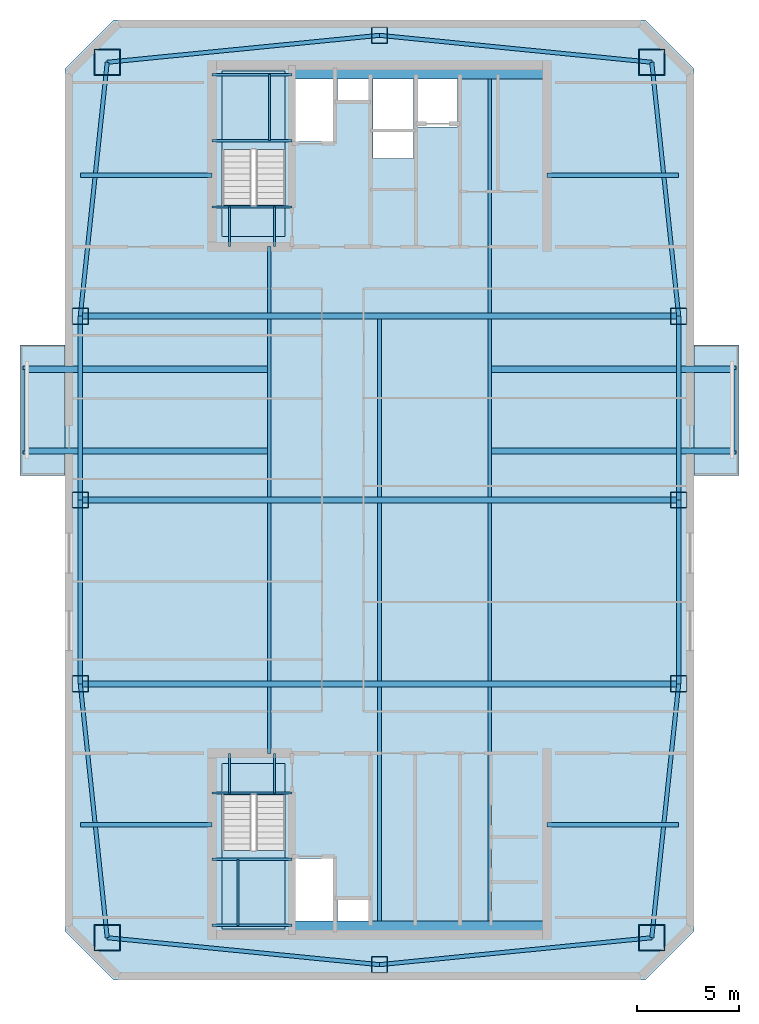
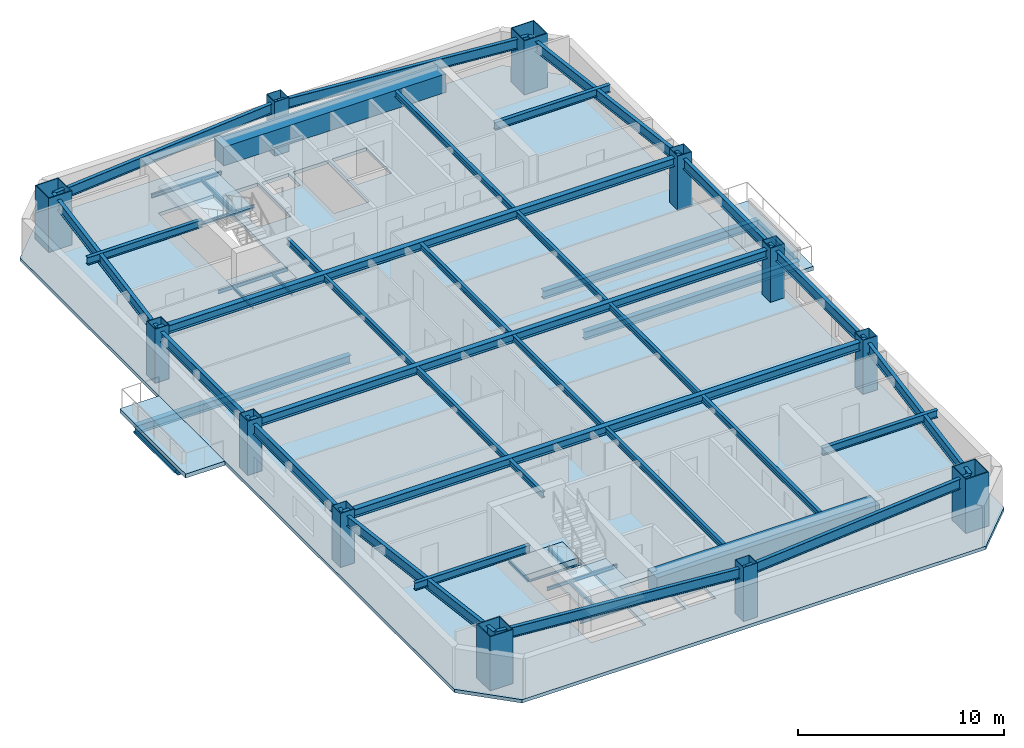
# One storey, part 1 of 6: 50 beams, 12 columns, 7 slabs, 2 elements without a shape of their own.
"""IFC4 building model written with IfcOpenShell, lengths in metres."""

import ifcopenshell
import ifcopenshell.guid

model = None  # the IFC model being written
_history = None  # IfcOwnerHistory: only IFC2X3 demands one
_inside = {}  # id of a spatial element -> (the spatial element, [elements in it])
_under = {}  # id of a project, library or spatial element -> (it, [spatial elements below it])
_declared = {}  # id of a project -> (the project, [libraries it declares])
_typed = {}  # id of a type object -> (the type object, [elements of that type])
_made_of = {}  # id of a material, layer set ... -> (it, [elements and type objects made of it])


def new_model(schema):
    """Start an empty IFC model of exactly this schema.

    Asked for "IFC4X3", IfcOpenShell would pick the latest addendum, in which some entities
    have other attributes; the version numbers below select the first issue.
    IFC2X3 requires an IfcOwnerHistory on every rooted entity: one is made here for all.
    """
    global model, _history
    if schema == "IFC4X3":
        model = ifcopenshell.file(schema_version=(4, 3, 0, 0))
    else:
        model = ifcopenshell.file(schema=schema)
    _inside.clear()
    _under.clear()
    _declared.clear()
    _typed.clear()
    _made_of.clear()
    _history = None
    if model.schema == "IFC2X3":
        org = make("IfcOrganization", Name="unknown")
        user = make(
            "IfcPersonAndOrganization",
            ThePerson=make("IfcPerson", FamilyName="unknown"),
            TheOrganization=org,
        )
        app = make(
            "IfcApplication",
            ApplicationDeveloper=org,
            Version="unknown",
            ApplicationFullName="unknown",
            ApplicationIdentifier="unknown",
        )
        _history = make(
            "IfcOwnerHistory",
            OwningUser=user,
            OwningApplication=app,
            ChangeAction="ADDED",
            CreationDate=0,
        )
    return model


def make(cls, **values):
    """One entity of the class cls with the attributes given. An attribute that is None is left unset."""
    return model.create_entity(
        cls, **{name: value for name, value in values.items() if value is not None}
    )


def rooted(cls, **values):
    """An entity with a GlobalId (a new one), such as an element, a storey or a relation."""
    return make(cls, GlobalId=ifcopenshell.guid.new(), OwnerHistory=_history, **values)


def si_unit(unit_type, name, prefix=None):
    """IfcSIUnit, for example si_unit("LENGTHUNIT", "METRE", prefix="MILLI")."""
    return make("IfcSIUnit", UnitType=unit_type, Prefix=prefix, Name=name)


def assignment(units):
    """IfcUnitAssignment: the units of a project."""
    return None if units is None else make("IfcUnitAssignment", Units=units)


def point(xyz):
    """IfcCartesianPoint."""
    return None if xyz is None else make("IfcCartesianPoint", Coordinates=xyz)


def direction(xyz):
    """IfcDirection."""
    return None if xyz is None else make("IfcDirection", DirectionRatios=xyz)


def frame(location, z_axis=None, x_axis=None):
    """IfcAxis2Placement3D, a coordinate frame: its origin and axes. An axis left out is left unset."""
    return make(
        "IfcAxis2Placement3D",
        Location=point(location),
        Axis=direction(z_axis),
        RefDirection=direction(x_axis),
    )


def frame_2d(location, x_axis=None):
    """IfcAxis2Placement2D, a coordinate frame in the plane: its origin and x axis."""
    return make(
        "IfcAxis2Placement2D", Location=point(location), RefDirection=direction(x_axis)
    )


def origin():
    """The frame at (0, 0, 0) with its axes left unset."""
    return frame((0.0, 0.0, 0.0))


def origin_2d():
    """The frame at (0, 0) in the plane with its x axis left unset."""
    return frame_2d((0.0, 0.0))


def place(relative_to, where):
    """IfcLocalPlacement: puts the frame where relative to a parent placement (None: the world)."""
    return make(
        "IfcLocalPlacement", PlacementRelTo=relative_to, RelativePlacement=where
    )


def context(
    kind, dimensions, precision=None, world=None, true_north=None, identifier=None
):
    """IfcGeometricRepresentationContext, for example the 3D "Model" context."""
    return make(
        "IfcGeometricRepresentationContext",
        ContextIdentifier=identifier,
        ContextType=kind,
        CoordinateSpaceDimension=dimensions,
        Precision=precision,
        WorldCoordinateSystem=world,
        TrueNorth=true_north,
    )


def subcontext(parent, identifier, kind, view, scale=None):
    """IfcGeometricRepresentationSubContext, for example "Body" below "Model"."""
    return make(
        "IfcGeometricRepresentationSubContext",
        ContextIdentifier=identifier,
        ContextType=kind,
        ParentContext=parent,
        TargetScale=scale,
        TargetView=view,
    )


def project(units=None, contexts=None):
    """IfcProject with its units and contexts."""
    return rooted(
        "IfcProject",
        Name="project",
        RepresentationContexts=contexts,
        UnitsInContext=assignment(units),
    )


def spatial(cls, under=None, at=None, **own):
    """A site, building, storey or space (cls), placed at a placement, below another one or the project."""
    s = rooted(cls, ObjectPlacement=at, **own)
    if under is not None:
        _under.setdefault(under.id(), (under, []))[1].append(s)
    return s


def polyline(points):
    """IfcPolyline through the points."""
    return make("IfcPolyline", Points=[point(p) for p in points])


def profile(cls, at=None, kind="AREA", **sizes):
    """A parametric profile (cls). Its sizes go by their IFC names, for example OverallWidth=200.0."""
    return make(cls, ProfileType=kind, Position=at, **sizes)


def rectangle(**sizes):
    """IfcRectangleProfileDef."""
    return profile("IfcRectangleProfileDef", **sizes)


def hollow_rectangle(**sizes):
    """IfcRectangleHollowProfileDef."""
    return profile("IfcRectangleHollowProfileDef", **sizes)


def i_section(**sizes):
    """IfcIShapeProfileDef."""
    return profile("IfcIShapeProfileDef", **sizes)


def outline(outer, holes=None, kind="AREA"):
    """IfcArbitraryClosedProfileDef: a profile drawn as a closed curve; with holes, ...WithVoids."""
    if holes is None:
        return make("IfcArbitraryClosedProfileDef", ProfileType=kind, OuterCurve=outer)
    return make(
        "IfcArbitraryProfileDefWithVoids",
        ProfileType=kind,
        OuterCurve=outer,
        InnerCurves=holes,
    )


def extrude(swept, where, along, depth):
    """IfcExtrudedAreaSolid: the profile swept, set in the frame where, extruded along a direction by depth."""
    return make(
        "IfcExtrudedAreaSolid",
        SweptArea=swept,
        Position=where,
        ExtrudedDirection=direction(along),
        Depth=depth,
    )


def shape(context_of_items, identifier, shape_type, items):
    """IfcShapeRepresentation: the items that make up one representation, for example the "Body"."""
    return make(
        "IfcShapeRepresentation",
        ContextOfItems=context_of_items,
        RepresentationIdentifier=identifier,
        RepresentationType=shape_type,
        Items=items,
    )


def material(Name=None, Category=None):
    """IfcMaterial."""
    return make("IfcMaterial", Name=Name, Category=Category)


def layer(
    of_material, thickness, ventilated=None, Name=None, Category=None, Priority=None
):
    """IfcMaterialLayer: one layer of a wall or slab, of a material (None: an air gap)."""
    return make(
        "IfcMaterialLayer",
        Material=of_material,
        LayerThickness=thickness,
        IsVentilated=ventilated,
        Name=Name,
        Category=Category,
        Priority=Priority,
    )


def layer_set(layers, Name=None):
    """IfcMaterialLayerSet."""
    return make("IfcMaterialLayerSet", MaterialLayers=layers, LayerSetName=Name)


def material_profile(
    of_material, cross_section, Name=None, Category=None, Priority=None
):
    """IfcMaterialProfile: a cross section and its material."""
    return make(
        "IfcMaterialProfile",
        Name=Name,
        Material=of_material,
        Profile=cross_section,
        Priority=Priority,
        Category=Category,
    )


def profile_set(profiles, Name=None, composite=None):
    """IfcMaterialProfileSet."""
    return make(
        "IfcMaterialProfileSet",
        Name=Name,
        MaterialProfiles=profiles,
        CompositeProfile=composite,
    )


def made_of(thing, what):
    """Note that an element or type object is made of a material, layer set ...; save() writes the relation."""
    if what is not None:
        _made_of.setdefault(what.id(), (what, []))[1].append(thing)
    return thing


def type_object(cls, material=None, **own):
    """A type object (cls), such as IfcWallType, which elements share."""
    return made_of(rooted(cls, **own), material)


def element(
    cls,
    number,
    at=None,
    inside=None,
    cuts=None,
    type_object=None,
    material=None,
    context=None,
    identifier="Body",
    shape_type=None,
    held_by="IfcProductDefinitionShape",
    body=None,
    shapes=None,
    **own,
):
    """One element of the class cls, such as IfcWall. Its Tag is "e" and its number.

    at: its placement. inside: the storey or other place that contains it. cuts: it is an
    opening in that element (IfcRelVoidsElement). A single representation is given by context,
    identifier, shape_type and body (its items); several are given by shapes. held_by: the class
    of the entity that holds the representations. save() writes the other relations.
    """
    e = rooted(cls, Tag="e%d" % number, ObjectPlacement=at, **own)
    if body is not None:
        shapes = [shape(context, identifier, shape_type, body)]
    if shapes is not None:
        e.Representation = make(held_by, Representations=shapes)
    if inside is not None:
        _inside.setdefault(inside.id(), (inside, []))[1].append(e)
    if cuts is not None:
        rooted(
            "IfcRelVoidsElement", RelatingBuildingElement=cuts, RelatedOpeningElement=e
        )
    if type_object is not None:
        _typed.setdefault(type_object.id(), (type_object, []))[1].append(e)
    return made_of(e, material)


def aggregate(whole, parts):
    """IfcRelAggregates: a whole, such as a stair, and the parts it consists of."""
    return rooted("IfcRelAggregates", RelatingObject=whole, RelatedObjects=parts)


def save(model, path):
    """Write the relations noted so far, then the file.

    IfcRelAggregates (storeys below a building ...), IfcRelContainedInSpatialStructure (elements
    in a storey), IfcRelDefinesByType, IfcRelAssociatesMaterial and IfcRelDeclares: one each for
    every whole, place, type object, material and project.
    """
    for whole, parts in _under.values():
        aggregate(whole, parts)
    for where, things in _inside.values():
        rooted(
            "IfcRelContainedInSpatialStructure",
            RelatedElements=things,
            RelatingStructure=where,
        )
    for kind, things in _typed.values():
        rooted("IfcRelDefinesByType", RelatedObjects=things, RelatingType=kind)
    for what, things in _made_of.values():
        rooted("IfcRelAssociatesMaterial", RelatedObjects=things, RelatingMaterial=what)
    for by, libraries in _declared.values():
        rooted("IfcRelDeclares", RelatingContext=by, RelatedDefinitions=libraries)
    model.write(path)


model = new_model("IFC4")

# Units and contexts
model_context = context("Model", 3, precision=1e-05, world=origin(), true_north=direction((0.0, 1.0)))
body_context = subcontext(model_context, "Body", "Model", "MODEL_VIEW")
ifc_project = project(units=[si_unit("LENGTHUNIT", "METRE"), si_unit("AREAUNIT", "SQUARE_METRE"), si_unit("VOLUMEUNIT", "CUBIC_METRE"), si_unit("PLANEANGLEUNIT", "RADIAN"), si_unit("MASSUNIT", "GRAM", prefix="KILO")], contexts=[model_context])

# Site, building, storey
site_placement = place(None, origin())
site = spatial("IfcSite", under=ifc_project, at=site_placement, CompositionType="ELEMENT")
building_placement = place(site_placement, origin())
building = spatial("IfcBuilding", under=site, at=building_placement, Name="Qiaolan Cultural Towers", CompositionType="ELEMENT")
storey_placement = place(building_placement, frame((0.0, 0.0, 260.0)))
storey = spatial("IfcBuildingStorey", under=building, at=storey_placement, Name="L71", CompositionType="ELEMENT", Elevation=260.0)

# Columns
ifc_material_1 = material(Name="Steel Q390GJB", Category="steel")
ifc_material_profile_1 = material_profile(ifc_material_1, hollow_rectangle(XDim=1.300048828125, YDim=1.300048828125, WallThickness=0.044921875, at=origin_2d()), Name="BOX1300x1300x45")
ifc_profile_set_1 = profile_set([ifc_material_profile_1], Name="Steel Q390GJB")
column_type_1 = type_object("IfcColumnType", Name="COL-BOX1300x1300x45", PredefinedType="COLUMN", material=ifc_profile_set_1)
for number, where, z_axis, x_axis, name in (
    (1, (16.669921875, 12.570068359375, 0.0), (0.0, 0.0, 1.0), (1.0, 0.0, 0.0), "L71 T1 Perimeter Column MC-SW"),
    (2, (43.330078125, 12.570068359375, 0.0), (0.0, 0.0, 1.0), (1.0, 0.0, 0.0), "L71 T1 Perimeter Column MC-SE"),
    (3, (43.330078125, 55.429931640625, 0.0), (0.0, 0.0, 1.0), (1.0, 0.0, 0.0), "L71 T1 Perimeter Column MC-NE"),
    (4, (16.669921875, 55.429931640625, 0.0), (0.0, 0.0, 1.0), (1.0, 0.0, 0.0), "L71 T1 Perimeter Column MC-NW"),
):
    element("IfcColumn", number, at=place(storey_placement, frame(where, z_axis=z_axis, x_axis=x_axis)), inside=storey, type_object=column_type_1, Name=name, PredefinedType="COLUMN", context=body_context, shape_type="SweptSolid", body=[
        extrude(hollow_rectangle(XDim=1.300048828125, YDim=1.300048828125, WallThickness=0.044921875, at=origin_2d()), origin(), (0.0, 0.0, 1.0), 3.200927734375),
    ])
ifc_material_2 = material(Name="Steel Q355B", Category="steel")
ifc_material_profile_2 = material_profile(ifc_material_2, hollow_rectangle(XDim=0.800048828125, YDim=0.800048828125, WallThickness=0.028076171875, at=origin_2d()), Name="BOX800x800x28")
ifc_profile_set_2 = profile_set([ifc_material_profile_2], Name="Steel Q355B")
column_type_2 = type_object("IfcColumnType", Name="COL-BOX800x800x28", PredefinedType="COLUMN", material=ifc_profile_set_2)
for number, where, z_axis, x_axis, name in (
    (5, (15.35009765625, 25.0, 0.0), (0.0, 0.0, 1.0), (1.0, 0.0, 0.0), "L71 T1 Perimeter Column PC-W1"),
    (6, (15.35009765625, 34.0, 0.0), (0.0, 0.0, 1.0), (1.0, 0.0, 0.0), "L71 T1 Perimeter Column PC-W2"),
    (7, (15.35009765625, 43.0, 0.0), (0.0, 0.0, 1.0), (1.0, 0.0, 0.0), "L71 T1 Perimeter Column PC-W3"),
    (8, (44.64990234375, 25.0, 0.0), (0.0, 0.0, 1.0), (1.0, 0.0, 0.0), "L71 T1 Perimeter Column PC-E1"),
    (9, (44.64990234375, 34.0, 0.0), (0.0, 0.0, 1.0), (1.0, 0.0, 0.0), "L71 T1 Perimeter Column PC-E2"),
    (10, (44.64990234375, 43.0, 0.0), (0.0, 0.0, 1.0), (1.0, 0.0, 0.0), "L71 T1 Perimeter Column PC-E3"),
    (11, (30.0, 11.25, 0.0), (0.0, 0.0, 1.0), (1.0, 0.0, 0.0), "L71 T1 Perimeter Column PC-S0"),
    (12, (30.0, 56.75, 0.0), (0.0, 0.0, 1.0), (1.0, 0.0, 0.0), "L71 T1 Perimeter Column PC-N0"),
):
    element("IfcColumn", number, at=place(storey_placement, frame(where, z_axis=z_axis, x_axis=x_axis)), inside=storey, type_object=column_type_2, Name=name, PredefinedType="COLUMN", context=body_context, shape_type="SweptSolid", body=[
        extrude(hollow_rectangle(XDim=0.800048828125, YDim=0.800048828125, WallThickness=0.028076171875, at=origin_2d()), origin(), (0.0, 0.0, 1.0), 3.200927734375),
    ])

# Beams
ifc_material_3 = material(Name="Steel Q355B", Category="steel")
ifc_material_profile_3 = material_profile(ifc_material_3, i_section(OverallWidth=0.300048828125, OverallDepth=0.488037109375, WebThickness=0.010986328125, FlangeThickness=0.01806640625, at=origin_2d()), Name="HM488x300x11x18")
ifc_profile_set_3 = profile_set([ifc_material_profile_3], Name="Steel Q355B")
beam_type_1 = type_object("IfcBeamType", Name="BM-HM488x300x11x18", PredefinedType="BEAM", material=ifc_profile_set_3)
for number, where, z_axis, x_axis, name in (
    (13, (24.60009765625, 36.39990234375, -0.52392578125), (-1.0, 0.0, 0.0), (0.0, -1.0, 0.0), "L71 T1 Tree Balcony Back-Spanned Bracket Beam"),
    (14, (24.60009765625, 40.39990234375, -0.52392578125), (-1.0, 0.0, 0.0), (0.0, -1.0, 0.0), "L71 T1 Tree Balcony Back-Spanned Bracket Beam"),
    (15, (35.39990234375, 36.39990234375, -0.52392578125), (1.0, 0.0, 0.0), (0.0, 1.0, 0.0), "L71 T1 Tree Balcony Back-Spanned Bracket Beam"),
    (16, (35.39990234375, 40.39990234375, -0.52392578125), (1.0, 0.0, 0.0), (0.0, 1.0, 0.0), "L71 T1 Tree Balcony Back-Spanned Bracket Beam"),
):
    element("IfcBeam", number, at=place(storey_placement, frame(where, z_axis=z_axis, x_axis=x_axis)), inside=storey, type_object=beam_type_1, Name=name, PredefinedType="BEAM", context=body_context, shape_type="SweptSolid", body=[
        extrude(i_section(OverallWidth=0.300048828125, OverallDepth=0.488037109375, WebThickness=0.010986328125, FlangeThickness=0.01806640625, at=origin_2d()), origin(), (0.0, 0.0, 1.0), 12.050048828125),
    ])
for number, where, z_axis, x_axis, name in (
    (17, (15.35009765625, 25.0, 2.696044921875), (1.0, 0.0, 0.0), (0.0, 1.0, 0.0), "L71 T1 Primary Transverse Girder V1"),
    (18, (15.35009765625, 34.0, 2.696044921875), (1.0, 0.0, 0.0), (0.0, 1.0, 0.0), "L71 T1 Primary Transverse Girder V2"),
    (19, (15.35009765625, 43.0, 2.696044921875), (1.0, 0.0, 0.0), (0.0, 1.0, 0.0), "L71 T1 Primary Transverse Girder V3"),
):
    element("IfcBeam", number, at=place(storey_placement, frame(where, z_axis=z_axis, x_axis=x_axis)), inside=storey, type_object=beam_type_1, Name=name, PredefinedType="BEAM", context=body_context, shape_type="SweptSolid", body=[
        extrude(i_section(OverallWidth=0.300048828125, OverallDepth=0.488037109375, WebThickness=0.010986328125, FlangeThickness=0.01806640625, at=origin_2d()), origin(), (0.0, 0.0, 1.0), 29.2998046875),
    ])
ifc_material_4 = material(Name="Steel Q355B", Category="steel")
ifc_material_profile_4 = material_profile(ifc_material_4, i_section(OverallWidth=0.175048828125, OverallDepth=0.35009765625, WebThickness=0.007080078125, FlangeThickness=0.010986328125, at=origin_2d()), Name="HN350x175x7x11")
ifc_profile_set_4 = profile_set([ifc_material_profile_4], Name="Steel Q355B")
beam_type_2 = type_object("IfcBeamType", Name="BM-JST-HN350x175x7x11", PredefinedType="JOIST", material=ifc_profile_set_4)
for number, where, z_axis, x_axis, name in (
    (20, (12.550048828125, 36.39990234375, -0.52392578125), (0.0, 1.0, 0.0), (-1.0, 0.0, 0.0), "L71 T1 Tree Balcony Outer Edge Beam"),
    (21, (47.449951171875, 36.39990234375, -0.52392578125), (0.0, 1.0, 0.0), (-1.0, 0.0, 0.0), "L71 T1 Tree Balcony Outer Edge Beam"),
):
    element("IfcBeam", number, at=place(storey_placement, frame(where, z_axis=z_axis, x_axis=x_axis)), inside=storey, type_object=beam_type_2, Name=name, PredefinedType="JOIST", context=body_context, shape_type="SweptSolid", body=[
        extrude(i_section(OverallWidth=0.175048828125, OverallDepth=0.35009765625, WebThickness=0.007080078125, FlangeThickness=0.010986328125, at=origin_2d()), origin(), (0.0, 0.0, 1.0), 4.0),
    ])
beam_1_placement = place(storey_placement, frame((24.60009765625, 21.60009765625, 2.764892578125), z_axis=(0.0, 1.0, 0.0), x_axis=(-1.0, 0.0, 0.0)))
element("IfcBeam", 22, at=beam_1_placement, inside=storey, type_object=beam_type_2, Name="L71 T1 Secondary Floor Joist U1-1", PredefinedType="JOIST", context=body_context, shape_type="SweptSolid", body=[
    extrude(i_section(OverallWidth=0.175048828125, OverallDepth=0.35009765625, WebThickness=0.007080078125, FlangeThickness=0.010986328125, at=origin_2d()), origin(), (0.0, 0.0, 1.0), 3.25),
])
for number, where, z_axis, x_axis, name in (
    (23, (24.60009765625, 25.14990234375, 2.764892578125), (0.0, 1.0, 0.0), (-1.0, 0.0, 0.0), "L71 T1 Secondary Floor Joist U1-2"),
    (24, (24.60009765625, 34.14990234375, 2.764892578125), (0.0, 1.0, 0.0), (-1.0, 0.0, 0.0), "L71 T1 Secondary Floor Joist U1-3"),
):
    element("IfcBeam", number, at=place(storey_placement, frame(where, z_axis=z_axis, x_axis=x_axis)), inside=storey, type_object=beam_type_2, Name=name, PredefinedType="JOIST", context=body_context, shape_type="SweptSolid", body=[
        extrude(i_section(OverallWidth=0.175048828125, OverallDepth=0.35009765625, WebThickness=0.007080078125, FlangeThickness=0.010986328125, at=origin_2d()), origin(), (0.0, 0.0, 1.0), 8.7001953125),
    ])
beam_2_placement = place(storey_placement, frame((24.60009765625, 43.14990234375, 2.764892578125), z_axis=(0.0, 1.0, 0.0), x_axis=(-1.0, 0.0, 0.0)))
element("IfcBeam", 25, at=beam_2_placement, inside=storey, type_object=beam_type_2, Name="L71 T1 Secondary Floor Joist U1-4", PredefinedType="JOIST", context=body_context, shape_type="SweptSolid", body=[
    extrude(i_section(OverallWidth=0.175048828125, OverallDepth=0.35009765625, WebThickness=0.007080078125, FlangeThickness=0.010986328125, at=origin_2d()), origin(), (0.0, 0.0, 1.0), 3.25),
])
beam_3_placement = place(storey_placement, frame((30.0, 13.39990234375, 2.764892578125), z_axis=(0.0, 1.0, 0.0), x_axis=(-1.0, 0.0, 0.0)))
element("IfcBeam", 26, at=beam_3_placement, inside=storey, type_object=beam_type_2, Name="L71 T1 Secondary Floor Joist U2-1", PredefinedType="JOIST", context=body_context, shape_type="SweptSolid", body=[
    extrude(i_section(OverallWidth=0.175048828125, OverallDepth=0.35009765625, WebThickness=0.007080078125, FlangeThickness=0.010986328125, at=origin_2d()), origin(), (0.0, 0.0, 1.0), 11.4501953125),
])
for number, where, z_axis, x_axis, name in (
    (27, (30.0, 25.14990234375, 2.764892578125), (0.0, 1.0, 0.0), (-1.0, 0.0, 0.0), "L71 T1 Secondary Floor Joist U2-2"),
    (28, (30.0, 34.14990234375, 2.764892578125), (0.0, 1.0, 0.0), (-1.0, 0.0, 0.0), "L71 T1 Secondary Floor Joist U2-3"),
):
    element("IfcBeam", number, at=place(storey_placement, frame(where, z_axis=z_axis, x_axis=x_axis)), inside=storey, type_object=beam_type_2, Name=name, PredefinedType="JOIST", context=body_context, shape_type="SweptSolid", body=[
        extrude(i_section(OverallWidth=0.175048828125, OverallDepth=0.35009765625, WebThickness=0.007080078125, FlangeThickness=0.010986328125, at=origin_2d()), origin(), (0.0, 0.0, 1.0), 8.7001953125),
    ])
beam_4_placement = place(storey_placement, frame((35.39990234375, 13.39990234375, 2.764892578125), z_axis=(0.0, 1.0, 0.0), x_axis=(-1.0, 0.0, 0.0)))
element("IfcBeam", 29, at=beam_4_placement, inside=storey, type_object=beam_type_2, Name="L71 T1 Secondary Floor Joist U3-1", PredefinedType="JOIST", context=body_context, shape_type="SweptSolid", body=[
    extrude(i_section(OverallWidth=0.175048828125, OverallDepth=0.35009765625, WebThickness=0.007080078125, FlangeThickness=0.010986328125, at=origin_2d()), origin(), (0.0, 0.0, 1.0), 11.4501953125),
])
for number, where, z_axis, x_axis, name in (
    (30, (35.39990234375, 25.14990234375, 2.764892578125), (0.0, 1.0, 0.0), (-1.0, 0.0, 0.0), "L71 T1 Secondary Floor Joist U3-2"),
    (31, (35.39990234375, 34.14990234375, 2.764892578125), (0.0, 1.0, 0.0), (-1.0, 0.0, 0.0), "L71 T1 Secondary Floor Joist U3-3"),
):
    element("IfcBeam", number, at=place(storey_placement, frame(where, z_axis=z_axis, x_axis=x_axis)), inside=storey, type_object=beam_type_2, Name=name, PredefinedType="JOIST", context=body_context, shape_type="SweptSolid", body=[
        extrude(i_section(OverallWidth=0.175048828125, OverallDepth=0.35009765625, WebThickness=0.007080078125, FlangeThickness=0.010986328125, at=origin_2d()), origin(), (0.0, 0.0, 1.0), 8.7001953125),
    ])
beam_5_placement = place(storey_placement, frame((35.39990234375, 43.14990234375, 2.764892578125), z_axis=(0.0, 1.0, 0.0), x_axis=(-1.0, 0.0, 0.0)))
element("IfcBeam", 32, at=beam_5_placement, inside=storey, type_object=beam_type_2, Name="L71 T1 Secondary Floor Joist U3-4", PredefinedType="JOIST", context=body_context, shape_type="SweptSolid", body=[
    extrude(i_section(OverallWidth=0.175048828125, OverallDepth=0.35009765625, WebThickness=0.007080078125, FlangeThickness=0.010986328125, at=origin_2d()), origin(), (0.0, 0.0, 1.0), 11.4501953125),
])
ifc_material_5 = material(Name="Steel Q355B", Category="steel")
ifc_material_profile_5 = material_profile(ifc_material_5, i_section(OverallWidth=0.199951171875, OverallDepth=0.449951171875, WebThickness=0.009033203125, FlangeThickness=0.013916015625, at=origin_2d()), Name="HN450x200x9x14")
ifc_profile_set_5 = profile_set([ifc_material_profile_5], Name="Steel Q355B")
beam_type_3 = type_object("IfcBeamType", Name="BM-LNT-HN450x200x9x14", PredefinedType="LINTEL", material=ifc_profile_set_5)
for number, where, z_axis, x_axis, name in (
    (33, (21.800048828125, 18.10009765625, 2.715087890625), (-1.0, 0.0, 0.0), (0.0, -1.0, 0.0), "L71 T1 Core Flank Tie Lintel WS"),
    (34, (21.800048828125, 49.89990234375, 2.715087890625), (-1.0, 0.0, 0.0), (0.0, -1.0, 0.0), "L71 T1 Core Flank Tie Lintel WN"),
    (35, (38.199951171875, 18.10009765625, 2.715087890625), (1.0, 0.0, 0.0), (0.0, 1.0, 0.0), "L71 T1 Core Flank Tie Lintel ES"),
    (36, (38.199951171875, 49.89990234375, 2.715087890625), (1.0, 0.0, 0.0), (0.0, 1.0, 0.0), "L71 T1 Core Flank Tie Lintel EN"),
):
    element("IfcBeam", number, at=place(storey_placement, frame(where, z_axis=z_axis, x_axis=x_axis)), inside=storey, type_object=beam_type_3, Name=name, PredefinedType="LINTEL", context=body_context, shape_type="SweptSolid", body=[
        extrude(i_section(OverallWidth=0.199951171875, OverallDepth=0.449951171875, WebThickness=0.009033203125, FlangeThickness=0.013916015625, at=origin_2d()), origin(), (0.0, 0.0, 1.0), 6.449951171875),
    ])
ifc_material_6 = material(Name="Concrete C50", Category="concrete")
ifc_material_profile_6 = material_profile(ifc_material_6, rectangle(XDim=0.89990234375, YDim=1.10009765625, at=origin_2d()), Name="RC900x1100")
ifc_profile_set_6 = profile_set([ifc_material_profile_6], Name="Concrete C50")
beam_type_4 = type_object("IfcBeamType", Name="BM-RC900x1100", PredefinedType="BEAM", material=ifc_profile_set_6)
for number, where, z_axis, x_axis, name in (
    (37, (25.719970703125, 12.949951171875, 2.389892578125), (1.0, 0.0, 0.0), (0.0, 1.0, 0.0), "L71 T1 Core Header Girder S"),
    (38, (25.719970703125, 55.050048828125, 2.389892578125), (1.0, 0.0, 0.0), (0.0, 1.0, 0.0), "L71 T1 Core Header Girder N"),
):
    element("IfcBeam", number, at=place(storey_placement, frame(where, z_axis=z_axis, x_axis=x_axis)), inside=storey, type_object=beam_type_4, Name=name, PredefinedType="BEAM", context=body_context, shape_type="SweptSolid", body=[
        extrude(rectangle(XDim=0.89990234375, YDim=1.10009765625, at=origin_2d()), origin(), (0.0, 0.0, 1.0), 12.47998046875),
    ])
ifc_material_7 = material(Name="Steel Q355B", Category="steel")
ifc_material_profile_7 = material_profile(ifc_material_7, i_section(OverallWidth=0.199951171875, OverallDepth=0.60009765625, WebThickness=0.010986328125, FlangeThickness=0.01708984375, at=origin_2d()), Name="HN600x200x11x17")
ifc_profile_set_7 = profile_set([ifc_material_profile_7], Name="Steel Q355B")
beam_type_5 = type_object("IfcBeamType", Name="BM-SPD-HN600x200x11x17", PredefinedType="SPANDREL", material=ifc_profile_set_7)
for number, where, z_axis, x_axis, name in (
    (39, (16.669921875, 12.570068359375, 2.639892578125), (0.995132371263, -0.098547266143, 0.0), (0.098547266143, 0.995132371263, 0.0), "L71 T1 Perimeter Spandrel Beam 1"),
    (40, (30.0, 11.25, 2.639892578125), (0.995132371263, 0.098547266143, 0.0), (-0.098547266143, 0.995132371263, 0.0), "L71 T1 Perimeter Spandrel Beam 2"),
):
    element("IfcBeam", number, at=place(storey_placement, frame(where, z_axis=z_axis, x_axis=x_axis)), inside=storey, type_object=beam_type_5, Name=name, PredefinedType="SPANDREL", context=body_context, shape_type="SweptSolid", body=[
        extrude(i_section(OverallWidth=0.199951171875, OverallDepth=0.60009765625, WebThickness=0.010986328125, FlangeThickness=0.01708984375, at=origin_2d()), origin(), (0.0, 0.0, 1.0), 13.395263671875),
    ])
beam_6_placement = place(storey_placement, frame((43.330078125, 12.570068359375, 2.639892578125), z_axis=(0.105587580773, 0.994410007384, 0.0), x_axis=(-0.994410007384, 0.105587580773, 0.0)))
element("IfcBeam", 41, at=beam_6_placement, inside=storey, type_object=beam_type_5, Name="L71 T1 Perimeter Spandrel Beam 3", PredefinedType="SPANDREL", context=body_context, shape_type="SweptSolid", body=[
    extrude(i_section(OverallWidth=0.199951171875, OverallDepth=0.60009765625, WebThickness=0.010986328125, FlangeThickness=0.01708984375, at=origin_2d()), origin(), (0.0, 0.0, 1.0), 12.499755859375),
])
for number, where, z_axis, x_axis, name in (
    (42, (44.64990234375, 25.0, 2.639892578125), (0.0, 1.0, 0.0), (-1.0, 0.0, 0.0), "L71 T1 Perimeter Spandrel Beam 4"),
    (43, (44.64990234375, 34.0, 2.639892578125), (0.0, 1.0, 0.0), (-1.0, 0.0, 0.0), "L71 T1 Perimeter Spandrel Beam 5"),
):
    element("IfcBeam", number, at=place(storey_placement, frame(where, z_axis=z_axis, x_axis=x_axis)), inside=storey, type_object=beam_type_5, Name=name, PredefinedType="SPANDREL", context=body_context, shape_type="SweptSolid", body=[
        extrude(i_section(OverallWidth=0.199951171875, OverallDepth=0.60009765625, WebThickness=0.010986328125, FlangeThickness=0.01708984375, at=origin_2d()), origin(), (0.0, 0.0, 1.0), 9.0),
    ])
beam_7_placement = place(storey_placement, frame((44.64990234375, 43.0, 2.639892578125), z_axis=(-0.105587580773, 0.994410007384, 0.0), x_axis=(-0.994410007384, -0.105587580773, 0.0)))
element("IfcBeam", 44, at=beam_7_placement, inside=storey, type_object=beam_type_5, Name="L71 T1 Perimeter Spandrel Beam 6", PredefinedType="SPANDREL", context=body_context, shape_type="SweptSolid", body=[
    extrude(i_section(OverallWidth=0.199951171875, OverallDepth=0.60009765625, WebThickness=0.010986328125, FlangeThickness=0.01708984375, at=origin_2d()), origin(), (0.0, 0.0, 1.0), 12.499755859375),
])
for number, where, z_axis, x_axis, name in (
    (45, (43.330078125, 55.429931640625, 2.639892578125), (-0.995132371263, 0.098547266143, 0.0), (-0.098547266143, -0.995132371263, 0.0), "L71 T1 Perimeter Spandrel Beam 7"),
    (46, (30.0, 56.75, 2.639892578125), (-0.995132371263, -0.098547266143, 0.0), (0.098547266143, -0.995132371263, 0.0), "L71 T1 Perimeter Spandrel Beam 8"),
):
    element("IfcBeam", number, at=place(storey_placement, frame(where, z_axis=z_axis, x_axis=x_axis)), inside=storey, type_object=beam_type_5, Name=name, PredefinedType="SPANDREL", context=body_context, shape_type="SweptSolid", body=[
        extrude(i_section(OverallWidth=0.199951171875, OverallDepth=0.60009765625, WebThickness=0.010986328125, FlangeThickness=0.01708984375, at=origin_2d()), origin(), (0.0, 0.0, 1.0), 13.395263671875),
    ])
beam_8_placement = place(storey_placement, frame((16.669921875, 55.429931640625, 2.639892578125), z_axis=(-0.105587580773, -0.994410007384, 0.0), x_axis=(0.994410007384, -0.105587580773, 0.0)))
element("IfcBeam", 47, at=beam_8_placement, inside=storey, type_object=beam_type_5, Name="L71 T1 Perimeter Spandrel Beam 9", PredefinedType="SPANDREL", context=body_context, shape_type="SweptSolid", body=[
    extrude(i_section(OverallWidth=0.199951171875, OverallDepth=0.60009765625, WebThickness=0.010986328125, FlangeThickness=0.01708984375, at=origin_2d()), origin(), (0.0, 0.0, 1.0), 12.499755859375),
])
for number, where, z_axis, x_axis, name in (
    (48, (15.35009765625, 43.0, 2.639892578125), (0.0, -1.0, 0.0), (1.0, 0.0, 0.0), "L71 T1 Perimeter Spandrel Beam 10"),
    (49, (15.35009765625, 34.0, 2.639892578125), (0.0, -1.0, 0.0), (1.0, 0.0, 0.0), "L71 T1 Perimeter Spandrel Beam 11"),
):
    element("IfcBeam", number, at=place(storey_placement, frame(where, z_axis=z_axis, x_axis=x_axis)), inside=storey, type_object=beam_type_5, Name=name, PredefinedType="SPANDREL", context=body_context, shape_type="SweptSolid", body=[
        extrude(i_section(OverallWidth=0.199951171875, OverallDepth=0.60009765625, WebThickness=0.010986328125, FlangeThickness=0.01708984375, at=origin_2d()), origin(), (0.0, 0.0, 1.0), 9.0),
    ])
beam_9_placement = place(storey_placement, frame((15.35009765625, 25.0, 2.639892578125), z_axis=(0.105587580773, -0.994410007384, 0.0), x_axis=(0.994410007384, 0.105587580773, 0.0)))
element("IfcBeam", 50, at=beam_9_placement, inside=storey, type_object=beam_type_5, Name="L71 T1 Perimeter Spandrel Beam 12", PredefinedType="SPANDREL", context=body_context, shape_type="SweptSolid", body=[
    extrude(i_section(OverallWidth=0.199951171875, OverallDepth=0.60009765625, WebThickness=0.010986328125, FlangeThickness=0.01708984375, at=origin_2d()), origin(), (0.0, 0.0, 1.0), 12.499755859375),
])
ifc_material_8 = material(Name="Steel Q355B", Category="steel")
ifc_material_profile_8 = material_profile(ifc_material_8, i_section(OverallWidth=0.10009765625, OverallDepth=0.199951171875, WebThickness=0.005615234375, FlangeThickness=0.008056640625, at=origin_2d()), Name="HN200x100x5.5x8")
ifc_profile_set_8 = profile_set([ifc_material_profile_8], Name="Steel Q355B")
beam_type_6 = type_object("IfcBeamType", Name="BM-STTRIM-200", PredefinedType="BEAM", material=ifc_profile_set_8)
beam_10_placement = place(storey_placement, frame((21.800048828125, 19.659912109375, -0.4599609375), z_axis=(1.0, 0.0, 0.0), x_axis=(0.0, 1.0, 0.0)))
element("IfcBeam", 51, at=beam_10_placement, inside=storey, type_object=beam_type_6, Name="L71 ST-W1 Floor Landing Header Beam", PredefinedType="BEAM", context=body_context, shape_type="SweptSolid", body=[
    extrude(i_section(OverallWidth=0.10009765625, OverallDepth=0.199951171875, WebThickness=0.005615234375, FlangeThickness=0.008056640625, at=origin_2d()), origin(), (0.0, 0.0, 1.0), 3.919921875),
])
for number, where, z_axis, x_axis, name in (
    (52, (22.64990234375, 21.60009765625, -0.4599609375), (0.0, -1.0, 0.0), (1.0, 0.0, 0.0), "L71 ST-W1 Floor Landing Stringer 1"),
    (53, (24.85009765625, 21.60009765625, -0.4599609375), (0.0, -1.0, 0.0), (1.0, 0.0, 0.0), "L71 ST-W1 Floor Landing Stringer 2"),
):
    element("IfcBeam", number, at=place(storey_placement, frame(where, z_axis=z_axis, x_axis=x_axis)), inside=storey, type_object=beam_type_6, Name=name, PredefinedType="BEAM", context=body_context, shape_type="SweptSolid", body=[
        extrude(i_section(OverallWidth=0.10009765625, OverallDepth=0.199951171875, WebThickness=0.005615234375, FlangeThickness=0.008056640625, at=origin_2d()), origin(), (0.0, 0.0, 1.0), 1.940185546875),
    ])
for number, where, z_axis, x_axis, name in (
    (54, (21.800048828125, 16.411376953125, 1.300048828125), (1.0, 0.0, 0.0), (0.0, 1.0, 0.0), "L71 ST-W1 Stair Landing Support Beam 1-1"),
    (55, (21.800048828125, 13.179931640625, 1.300048828125), (1.0, 0.0, 0.0), (0.0, 1.0, 0.0), "L71 ST-W1 Stair Landing Support Beam 1-2"),
):
    element("IfcBeam", number, at=place(storey_placement, frame(where, z_axis=z_axis, x_axis=x_axis)), inside=storey, type_object=beam_type_6, Name=name, PredefinedType="BEAM", context=body_context, shape_type="SweptSolid", body=[
        extrude(i_section(OverallWidth=0.10009765625, OverallDepth=0.199951171875, WebThickness=0.005615234375, FlangeThickness=0.008056640625, at=origin_2d()), origin(), (0.0, 0.0, 1.0), 3.919921875),
    ])
beam_11_placement = place(storey_placement, frame((23.070068359375, 16.411376953125, 1.300048828125), z_axis=(0.0, -1.0, 0.0), x_axis=(1.0, 0.0, 0.0)))
element("IfcBeam", 56, at=beam_11_placement, inside=storey, type_object=beam_type_6, Name="L71 ST-W1 Stair Landing Trimmer 1", PredefinedType="BEAM", context=body_context, shape_type="SweptSolid", body=[
    extrude(i_section(OverallWidth=0.10009765625, OverallDepth=0.199951171875, WebThickness=0.005615234375, FlangeThickness=0.008056640625, at=origin_2d()), origin(), (0.0, 0.0, 1.0), 3.2314453125),
])
beam_12_placement = place(storey_placement, frame((21.800048828125, 48.340087890625, -0.4599609375), z_axis=(1.0, 0.0, 0.0), x_axis=(0.0, 1.0, 0.0)))
element("IfcBeam", 57, at=beam_12_placement, inside=storey, type_object=beam_type_6, Name="L71 ST-W2 Floor Landing Header Beam", PredefinedType="BEAM", context=body_context, shape_type="SweptSolid", body=[
    extrude(i_section(OverallWidth=0.10009765625, OverallDepth=0.199951171875, WebThickness=0.005615234375, FlangeThickness=0.008056640625, at=origin_2d()), origin(), (0.0, 0.0, 1.0), 3.919921875),
])
for number, where, z_axis, x_axis, name in (
    (58, (22.64990234375, 46.39990234375, -0.4599609375), (0.0, 1.0, 0.0), (-1.0, 0.0, 0.0), "L71 ST-W2 Floor Landing Stringer 1"),
    (59, (24.85009765625, 46.39990234375, -0.4599609375), (0.0, 1.0, 0.0), (-1.0, 0.0, 0.0), "L71 ST-W2 Floor Landing Stringer 2"),
):
    element("IfcBeam", number, at=place(storey_placement, frame(where, z_axis=z_axis, x_axis=x_axis)), inside=storey, type_object=beam_type_6, Name=name, PredefinedType="BEAM", context=body_context, shape_type="SweptSolid", body=[
        extrude(i_section(OverallWidth=0.10009765625, OverallDepth=0.199951171875, WebThickness=0.005615234375, FlangeThickness=0.008056640625, at=origin_2d()), origin(), (0.0, 0.0, 1.0), 1.940185546875),
    ])
for number, where, z_axis, x_axis, name in (
    (60, (21.800048828125, 51.588623046875, 1.300048828125), (1.0, 0.0, 0.0), (0.0, 1.0, 0.0), "L71 ST-W2 Stair Landing Support Beam 1-1"),
    (61, (21.800048828125, 54.820068359375, 1.300048828125), (1.0, 0.0, 0.0), (0.0, 1.0, 0.0), "L71 ST-W2 Stair Landing Support Beam 1-2"),
):
    element("IfcBeam", number, at=place(storey_placement, frame(where, z_axis=z_axis, x_axis=x_axis)), inside=storey, type_object=beam_type_6, Name=name, PredefinedType="BEAM", context=body_context, shape_type="SweptSolid", body=[
        extrude(i_section(OverallWidth=0.10009765625, OverallDepth=0.199951171875, WebThickness=0.005615234375, FlangeThickness=0.008056640625, at=origin_2d()), origin(), (0.0, 0.0, 1.0), 3.919921875),
    ])
beam_13_placement = place(storey_placement, frame((24.610107421875, 51.588623046875, 1.300048828125), z_axis=(0.0, 1.0, 0.0), x_axis=(-1.0, 0.0, 0.0)))
element("IfcBeam", 62, at=beam_13_placement, inside=storey, type_object=beam_type_6, Name="L71 ST-W2 Stair Landing Trimmer 1", PredefinedType="BEAM", context=body_context, shape_type="SweptSolid", body=[
    extrude(i_section(OverallWidth=0.10009765625, OverallDepth=0.199951171875, WebThickness=0.005615234375, FlangeThickness=0.008056640625, at=origin_2d()), origin(), (0.0, 0.0, 1.0), 3.2314453125),
])

# Slabs
ifc_material_9 = material(Name="Concrete C45", Category="concrete")
ifc_layer_1 = layer(ifc_material_9, 0.239990234375)
ifc_layer_set_1 = layer_set([ifc_layer_1], Name="Concrete C45")
slab_type_1 = type_object("IfcSlabType", Name="SL-BAL-240", PredefinedType="FLOOR", material=ifc_layer_set_1)
slab_1_placement = place(storey_placement, frame((0.0, 0.0, -0.239990234375)))
element("IfcSlab", 63, at=slab_1_placement, inside=storey, type_object=slab_type_1, Name="L71 T1 Planted Tree Balcony W", PredefinedType="FLOOR", context=body_context, shape_type="SweptSolid", body=[
    extrude(outline(polyline([(12.39990234375, 35.199951171875), (14.60009765625, 35.199951171875), (14.60009765625, 41.60009765625), (12.39990234375, 41.60009765625), (12.39990234375, 35.199951171875)])), origin(), (0.0, 0.0, 1.0), 0.239990234375),
])
slab_2_placement = place(storey_placement, frame((0.0, 0.0, -0.239990234375)))
element("IfcSlab", 64, at=slab_2_placement, inside=storey, type_object=slab_type_1, Name="L71 T1 Planted Tree Balcony E", PredefinedType="FLOOR", context=body_context, shape_type="SweptSolid", body=[
    extrude(outline(polyline([(45.39990234375, 35.199951171875), (47.60009765625, 35.199951171875), (47.60009765625, 41.60009765625), (45.39990234375, 41.60009765625), (45.39990234375, 35.199951171875)])), origin(), (0.0, 0.0, 1.0), 0.239990234375),
])
ifc_material_10 = material(Name="Concrete C45", Category="concrete")
ifc_layer_2 = layer(ifc_material_10, 0.199951171875)
ifc_layer_set_2 = layer_set([ifc_layer_2], Name="Concrete C45")
slab_type_2 = type_object("IfcSlabType", Name="SL-HI-200", PredefinedType="FLOOR", material=ifc_layer_set_2)
slab_3_placement = place(storey_placement, frame((0.0, 0.0, -0.199951171875)))
element("IfcSlab", 65, at=slab_3_placement, inside=storey, type_object=slab_type_2, Name="L71 West Tower Floor Slab", PredefinedType="FLOOR", context=body_context, shape_type="SweptSolid", body=[
    extrude(outline(polyline([(17.0, 10.5), (43.0, 10.5), (45.39990234375, 12.89990234375), (45.39990234375, 55.10009765625), (43.0, 57.5), (17.0, 57.5), (14.60009765625, 55.10009765625), (14.60009765625, 12.89990234375), (17.0, 10.5)]), holes=[polyline([(22.300048828125, 21.10009765625), (22.300048828125, 13.0), (25.3798828125, 13.0), (25.3798828125, 21.10009765625), (22.300048828125, 21.10009765625)]), polyline([(25.3798828125, 46.89990234375), (25.3798828125, 55.0), (22.300048828125, 55.0), (22.300048828125, 46.89990234375), (25.3798828125, 46.89990234375)]), polyline([(25.89990234375, 13.199951171875), (27.75, 13.199951171875), (27.75, 16.449951171875), (25.89990234375, 16.449951171875), (25.89990234375, 13.199951171875)]), polyline([(27.93994140625, 13.25), (29.449951171875, 13.25), (29.449951171875, 14.419921875), (27.93994140625, 14.419921875), (27.93994140625, 13.25)]), polyline([(25.89990234375, 51.550048828125), (27.75, 51.550048828125), (27.75, 54.800048828125), (25.89990234375, 54.800048828125), (25.89990234375, 51.550048828125)]), polyline([(27.93994140625, 53.580078125), (29.449951171875, 53.580078125), (29.449951171875, 54.75), (27.93994140625, 54.75), (27.93994140625, 53.580078125)]), polyline([(31.8798828125, 52.27001953125), (33.820068359375, 52.27001953125), (33.820068359375, 54.75), (31.8798828125, 54.75), (31.8798828125, 52.27001953125)]), polyline([(29.679931640625, 50.719970703125), (31.659912109375, 50.719970703125), (31.659912109375, 54.75), (29.679931640625, 54.75), (29.679931640625, 50.719970703125)])]), origin(), (0.0, 0.0, 1.0), 0.199951171875),
])

# Stair, slab
ifc_material_11 = material(Name="Concrete C45", Category="concrete")
stair_type = type_object("IfcStairType", Name="STR-CORE-1500", PredefinedType="HALF_TURN_STAIR", material=ifc_material_11)
stair_1_placement = place(storey_placement, origin())
stair_1 = element("IfcStair", 66, at=stair_1_placement, inside=storey, type_object=stair_type, Name="L71 Smokeproof Exit Stair ST-W1", PredefinedType="HALF_TURN_STAIR")
ifc_material_12 = material(Name="Concrete C45", Category="concrete")
ifc_layer_3 = layer(ifc_material_12, 0.199951171875)
ifc_layer_set_3 = layer_set([ifc_layer_3], Name="Concrete C45")
slab_type_3 = type_object("IfcSlabType", Name="SL-STAIR-LAND", PredefinedType="LANDING", material=ifc_layer_set_3)
slab_4_placement = place(storey_placement, frame((0.0, 0.0, 1.39990234375)))
slab_4 = element("IfcSlab", 67, at=slab_4_placement, type_object=slab_type_3, Name="ST-W1 landing 1", PredefinedType="LANDING", context=body_context, shape_type="SweptSolid", body=[
    extrude(outline(polyline([(22.300048828125, 16.851318359375), (22.300048828125, 13.0), (25.3798828125, 13.0), (25.3798828125, 16.851318359375), (22.300048828125, 16.851318359375)])), origin(), (0.0, 0.0, 1.0), 0.2001953125),
])
aggregate(stair_1, [slab_4])

stair_2_placement = place(storey_placement, origin())
stair_2 = element("IfcStair", 68, at=stair_2_placement, inside=storey, type_object=stair_type, Name="L71 Smokeproof Exit Stair ST-W2", PredefinedType="HALF_TURN_STAIR")
slab_5_placement = place(storey_placement, frame((0.0, 0.0, 1.39990234375)))
slab_5 = element("IfcSlab", 69, at=slab_5_placement, type_object=slab_type_3, Name="ST-W2 landing 1", PredefinedType="LANDING", context=body_context, shape_type="SweptSolid", body=[
    extrude(outline(polyline([(25.3798828125, 51.148681640625), (25.3798828125, 55.0), (22.300048828125, 55.0), (22.300048828125, 51.148681640625), (25.3798828125, 51.148681640625)])), origin(), (0.0, 0.0, 1.0), 0.2001953125),
])
aggregate(stair_2, [slab_5])

# Slabs
ifc_material_13 = material(Name="Concrete C40", Category="concrete")
ifc_layer_4 = layer(ifc_material_13, 0.360107421875)
ifc_layer_set_4 = layer_set([ifc_layer_4], Name="Concrete C40")
slab_type_4 = type_object("IfcSlabType", Name="SL-STFLR-360", PredefinedType="LANDING", material=ifc_layer_set_4)
slab_6_placement = place(storey_placement, frame((0.0, 0.0, -0.360107421875)))
element("IfcSlab", 70, at=slab_6_placement, inside=storey, type_object=slab_type_4, Name="L71 ST-W1 Stair Floor Landing Slab", PredefinedType="LANDING", context=body_context, shape_type="SweptSolid", body=[
    extrude(outline(polyline([(22.302001953125, 21.097900390625), (22.302001953125, 19.548583984375), (25.3779296875, 19.548583984375), (25.3779296875, 21.097900390625), (22.302001953125, 21.097900390625)])), origin(), (0.0, 0.0, 1.0), 0.360107421875),
])
slab_7_placement = place(storey_placement, frame((0.0, 0.0, -0.360107421875)))
element("IfcSlab", 71, at=slab_7_placement, inside=storey, type_object=slab_type_4, Name="L71 ST-W2 Stair Floor Landing Slab", PredefinedType="LANDING", context=body_context, shape_type="SweptSolid", body=[
    extrude(outline(polyline([(25.3779296875, 46.902099609375), (25.3779296875, 48.451416015625), (22.302001953125, 48.451416015625), (22.302001953125, 46.902099609375), (25.3779296875, 46.902099609375)])), origin(), (0.0, 0.0, 1.0), 0.360107421875),
])

save(model, "model.ifc")
